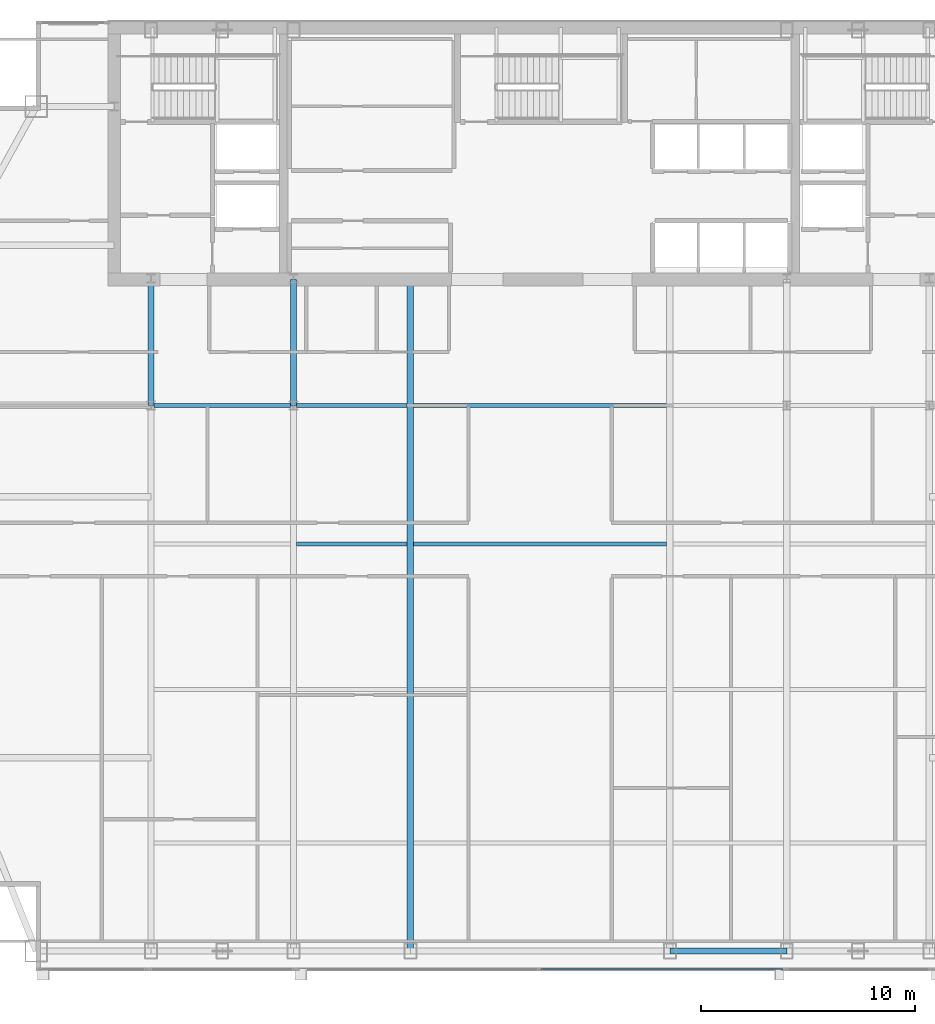
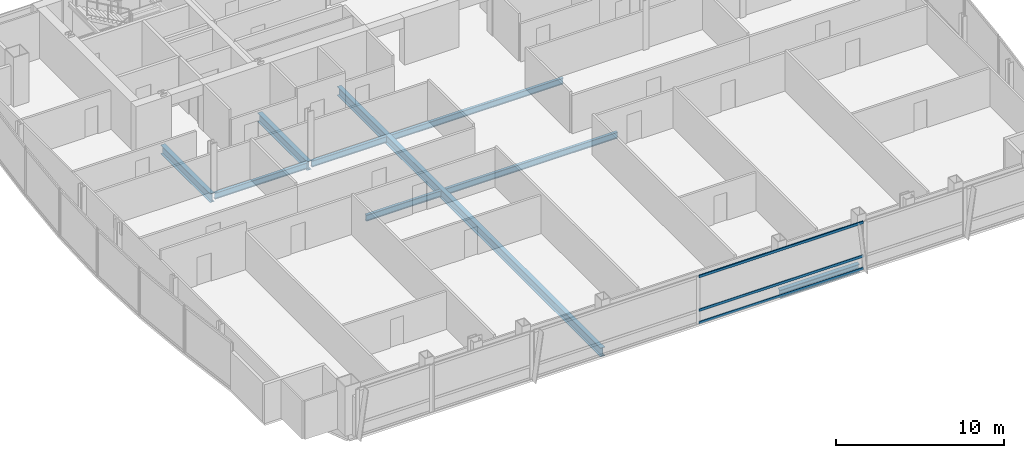
# One storey, part 13 of 29: 9 beams, 3 members, 1 element without a shape of its own.
"""IFC4 building model written with IfcOpenShell, lengths in metres."""

from ifc_helpers import new_model, si_unit, direction, frame, origin, origin_2d, place, context, subcontext, project, spatial, hollow_rectangle, i_section, extrude, material, material_profile, profile_set, type_object, element, aggregate, save


model = new_model("IFC4")

# Units and contexts
model_context = context("Model", 3, precision=1e-05, world=origin(), true_north=direction((0.0, 1.0)))
body_context = subcontext(model_context, "Body", "Model", "MODEL_VIEW")
ifc_project = project(units=[si_unit("LENGTHUNIT", "METRE"), si_unit("AREAUNIT", "SQUARE_METRE"), si_unit("VOLUMEUNIT", "CUBIC_METRE"), si_unit("PLANEANGLEUNIT", "RADIAN"), si_unit("MASSUNIT", "GRAM", prefix="KILO")], contexts=[model_context])

# Site, building, storey
site_placement = place(None, origin())
site = spatial("IfcSite", under=ifc_project, at=site_placement, CompositionType="ELEMENT")
building_placement = place(site_placement, origin())
building = spatial("IfcBuilding", under=site, at=building_placement, Name="Khoronbel Lancet Exchange", CompositionType="ELEMENT")
storey_placement = place(building_placement, frame((0.0, 0.0, 246.199951171875)))
storey = spatial("IfcBuildingStorey", under=building, at=storey_placement, Name="L63", CompositionType="ELEMENT", Elevation=246.199951171875)

# Beams
ifc_material_1 = material(Name="Steel S355", Category="steel")
ifc_material_profile_1 = material_profile(ifc_material_1, i_section(OverallWidth=0.300048828125, OverallDepth=0.64990234375, WebThickness=0.01611328125, FlangeThickness=0.031005859375, at=origin_2d()), Name="HEB 650")
ifc_profile_set_1 = profile_set([ifc_material_profile_1], Name="Steel S355")
beam_type_1 = type_object("IfcBeamType", Name="BM-BG4", PredefinedType="BEAM", material=ifc_profile_set_1)
for number, where, z_axis, x_axis, name in (
    (1, (18.22509765625, 35.699951171875, -0.48486328125), (0.0, 1.0, 0.0), (-1.0, 0.0, 0.0), "Level L63 spine tie girder GN1"),
    (2, (24.89990234375, 35.699951171875, -0.48486328125), (0.0, 1.0, 0.0), (-1.0, 0.0, 0.0), "Level L63 spine tie girder GN2"),
):
    element("IfcBeam", number, at=place(storey_placement, frame(where, z_axis=z_axis, x_axis=x_axis)), inside=storey, type_object=beam_type_1, Name=name, PredefinedType="BEAM", context=body_context, shape_type="SweptSolid", body=[
        extrude(i_section(OverallWidth=0.300048828125, OverallDepth=0.64990234375, WebThickness=0.01611328125, FlangeThickness=0.031005859375, at=origin_2d()), origin(), (0.0, 0.0, 1.0), 5.900146484375),
    ])
beam_1_placement = place(storey_placement, frame((30.375, 10.14990234375, -0.48486328125), z_axis=(0.0, 1.0, 0.0), x_axis=(-1.0, 0.0, 0.0)))
element("IfcBeam", 3, at=beam_1_placement, inside=storey, type_object=beam_type_1, Name="Level L63 primary floor girder G3", PredefinedType="BEAM", context=body_context, shape_type="SweptSolid", body=[
    extrude(i_section(OverallWidth=0.300048828125, OverallDepth=0.64990234375, WebThickness=0.01611328125, FlangeThickness=0.031005859375, at=origin_2d()), origin(), (0.0, 0.0, 1.0), 31.4501953125),
])
ifc_material_profile_2 = material_profile(ifc_material_1, i_section(OverallWidth=0.18994140625, OverallDepth=0.449951171875, WebThickness=0.009521484375, FlangeThickness=0.0146484375, at=origin_2d()), Name="IPE 450")
ifc_profile_set_2 = profile_set([ifc_material_profile_2], Name="Steel S355")
beam_type_2 = type_object("IfcBeamType", Name="BM-BJ4", PredefinedType="JOIST", material=ifc_profile_set_2)
beam_2_placement = place(storey_placement, frame((25.050048828125, 29.199951171875, -0.385009765625), z_axis=(1.0, 0.0, 0.0), x_axis=(0.0, 1.0, 0.0)))
element("IfcBeam", 4, at=beam_2_placement, inside=storey, type_object=beam_type_2, Name="Level L63 secondary composite joist J12", PredefinedType="JOIST", context=body_context, shape_type="SweptSolid", body=[
    extrude(i_section(OverallWidth=0.18994140625, OverallDepth=0.449951171875, WebThickness=0.009521484375, FlangeThickness=0.0146484375, at=origin_2d()), origin(), (0.0, 0.0, 1.0), 5.175048828125),
])
beam_3_placement = place(storey_placement, frame((30.52490234375, 29.199951171875, -0.385009765625), z_axis=(1.0, 0.0, 0.0), x_axis=(0.0, 1.0, 0.0)))
element("IfcBeam", 5, at=beam_3_placement, inside=storey, type_object=beam_type_2, Name="Level L63 secondary composite joist J13", PredefinedType="JOIST", context=body_context, shape_type="SweptSolid", body=[
    extrude(i_section(OverallWidth=0.18994140625, OverallDepth=0.449951171875, WebThickness=0.009521484375, FlangeThickness=0.0146484375, at=origin_2d()), origin(), (0.0, 0.0, 1.0), 11.85009765625),
])
beam_4_placement = place(storey_placement, frame((18.375, 35.699951171875, -0.385009765625), z_axis=(1.0, 0.0, 0.0), x_axis=(0.0, 1.0, 0.0)))
element("IfcBeam", 6, at=beam_4_placement, inside=storey, type_object=beam_type_2, Name="Level L63 secondary composite joist J16", PredefinedType="JOIST", context=body_context, shape_type="SweptSolid", body=[
    extrude(i_section(OverallWidth=0.18994140625, OverallDepth=0.449951171875, WebThickness=0.009521484375, FlangeThickness=0.0146484375, at=origin_2d()), origin(), (0.0, 0.0, 1.0), 6.375),
])
beam_5_placement = place(storey_placement, frame((25.050048828125, 35.699951171875, -0.385009765625), z_axis=(1.0, 0.0, 0.0), x_axis=(0.0, 1.0, 0.0)))
element("IfcBeam", 7, at=beam_5_placement, inside=storey, type_object=beam_type_2, Name="Level L63 secondary composite joist J17", PredefinedType="JOIST", context=body_context, shape_type="SweptSolid", body=[
    extrude(i_section(OverallWidth=0.18994140625, OverallDepth=0.449951171875, WebThickness=0.009521484375, FlangeThickness=0.0146484375, at=origin_2d()), origin(), (0.0, 0.0, 1.0), 5.175048828125),
])
beam_6_placement = place(storey_placement, frame((30.52490234375, 35.699951171875, -0.385009765625), z_axis=(1.0, 0.0, 0.0), x_axis=(0.0, 1.0, 0.0)))
element("IfcBeam", 8, at=beam_6_placement, inside=storey, type_object=beam_type_2, Name="Level L63 secondary composite joist J18", PredefinedType="JOIST", context=body_context, shape_type="SweptSolid", body=[
    extrude(i_section(OverallWidth=0.18994140625, OverallDepth=0.449951171875, WebThickness=0.009521484375, FlangeThickness=0.0146484375, at=origin_2d()), origin(), (0.0, 0.0, 1.0), 11.85009765625),
])
ifc_material_profile_3 = material_profile(ifc_material_1, i_section(OverallWidth=0.300048828125, OverallDepth=0.60009765625, WebThickness=0.015380859375, FlangeThickness=0.030029296875, at=origin_2d()), Name="HEB 600")
ifc_profile_set_3 = profile_set([ifc_material_profile_3], Name="Steel S355")
beam_type_3 = type_object("IfcBeamType", Name="BM-BSP2", PredefinedType="SPANDREL", material=ifc_profile_set_3)
beam_7_placement = place(storey_placement, frame((42.52490234375, 10.14990234375, -0.4599609375), z_axis=(1.0, 0.0, 0.0), x_axis=(0.0, 1.0, 0.0)))
element("IfcBeam", 9, at=beam_7_placement, inside=storey, type_object=beam_type_3, Name="Level L63 perimeter spandrel beam SP06", PredefinedType="SPANDREL", context=body_context, shape_type="SweptSolid", body=[
    extrude(i_section(OverallWidth=0.300048828125, OverallDepth=0.60009765625, WebThickness=0.015380859375, FlangeThickness=0.030029296875, at=origin_2d()), origin(), (0.0, 0.0, 1.0), 5.47509765625),
])

# Curtain wall, members
ifc_material_2 = material(Name="Low-E Solar Control Insulating Glass", Category="glass")
curtain_wall_type = type_object("IfcCurtainWallType", Name="CW-3", PredefinedType="NOTDEFINED", material=ifc_material_2)
curtain_wall_placement = place(storey_placement, origin())
curtain_wall = element("IfcCurtainWall", 10, at=curtain_wall_placement, inside=storey, type_object=curtain_wall_type, Name="Unitised curtain wall CW-L63-SCV", PredefinedType="NOTDEFINED")
ifc_material_3 = material(Name="Bronze-Anodised Aluminium 6063-T6", Category="aluminium")
ifc_material_profile_4 = material_profile(ifc_material_3, hollow_rectangle(XDim=0.0849609375, YDim=0.179931640625, WallThickness=0.0048828125, at=origin_2d()), Name="ALU TRANSOM 85x180")
ifc_profile_set_4 = profile_set([ifc_material_profile_4], Name="Bronze-Anodised Aluminium 6063-T6")
member_type = type_object("IfcMemberType", Name="MEM-CWT1", PredefinedType="USERDEFINED", material=ifc_profile_set_4)
member_1_placement = place(storey_placement, frame((36.492431640625, 9.2900390625, 0.04248046875), z_axis=(1.0, 0.0, 0.0), x_axis=(0.0, 1.0, 0.0)))
member_1 = element("IfcMember", 11, at=member_1_placement, type_object=member_type, Name="CW3 transom 2.1", ObjectType="TRANSOM", PredefinedType="USERDEFINED", context=body_context, shape_type="SweptSolid", body=[
    extrude(hollow_rectangle(XDim=0.0849609375, YDim=0.179931640625, WallThickness=0.0048828125, at=origin_2d()), origin(), (0.0, 0.0, 1.0), 11.322509765625),
])
member_2_placement = place(storey_placement, frame((36.492431640625, 9.2900390625, 0.949951171875), z_axis=(1.0, 0.0, 0.0), x_axis=(0.0, 1.0, 0.0)))
member_2 = element("IfcMember", 12, at=member_2_placement, type_object=member_type, Name="CW3 transom 2.2", ObjectType="TRANSOM", PredefinedType="USERDEFINED", context=body_context, shape_type="SweptSolid", body=[
    extrude(hollow_rectangle(XDim=0.0849609375, YDim=0.179931640625, WallThickness=0.0048828125, at=origin_2d()), origin(), (0.0, 0.0, 1.0), 11.322509765625),
])
member_3_placement = place(storey_placement, frame((36.492431640625, 9.2900390625, 3.3974609375), z_axis=(1.0, 0.0, 0.0), x_axis=(0.0, 1.0, 0.0)))
member_3 = element("IfcMember", 13, at=member_3_placement, type_object=member_type, Name="CW3 transom 2.3", ObjectType="TRANSOM", PredefinedType="USERDEFINED", context=body_context, shape_type="SweptSolid", body=[
    extrude(hollow_rectangle(XDim=0.0849609375, YDim=0.179931640625, WallThickness=0.0048828125, at=origin_2d()), origin(), (0.0, 0.0, 1.0), 11.322509765625),
])
aggregate(curtain_wall, [member_1, member_2, member_3])

save(model, "model.ifc")
